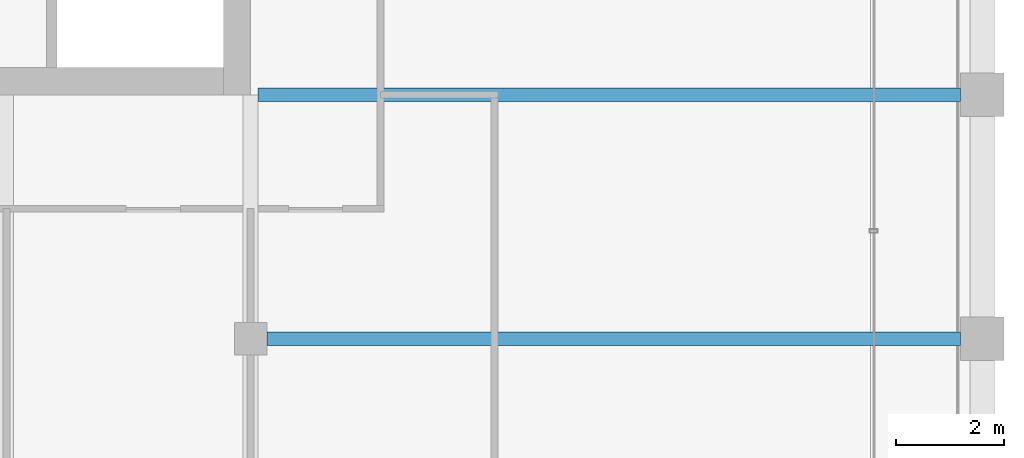
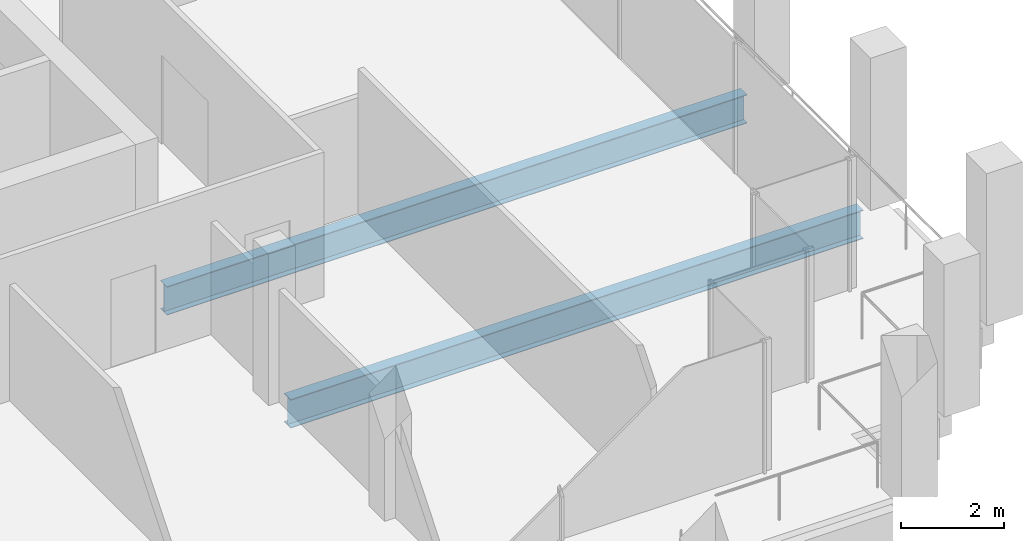
# One storey, part 14 of 30: 2 beams.
"""IFC4 building model written with IfcOpenShell, lengths in metres."""

import ifcopenshell
import ifcopenshell.guid

model = None  # the IFC model being written
_history = None  # IfcOwnerHistory: only IFC2X3 demands one
_inside = {}  # id of a spatial element -> (the spatial element, [elements in it])
_under = {}  # id of a project, library or spatial element -> (it, [spatial elements below it])
_declared = {}  # id of a project -> (the project, [libraries it declares])
_typed = {}  # id of a type object -> (the type object, [elements of that type])
_made_of = {}  # id of a material, layer set ... -> (it, [elements and type objects made of it])


def new_model(schema):
    """Start an empty IFC model of exactly this schema.

    Asked for "IFC4X3", IfcOpenShell would pick the latest addendum, in which some entities
    have other attributes; the version numbers below select the first issue.
    IFC2X3 requires an IfcOwnerHistory on every rooted entity: one is made here for all.
    """
    global model, _history
    if schema == "IFC4X3":
        model = ifcopenshell.file(schema_version=(4, 3, 0, 0))
    else:
        model = ifcopenshell.file(schema=schema)
    _inside.clear()
    _under.clear()
    _declared.clear()
    _typed.clear()
    _made_of.clear()
    _history = None
    if model.schema == "IFC2X3":
        org = make("IfcOrganization", Name="unknown")
        user = make(
            "IfcPersonAndOrganization",
            ThePerson=make("IfcPerson", FamilyName="unknown"),
            TheOrganization=org,
        )
        app = make(
            "IfcApplication",
            ApplicationDeveloper=org,
            Version="unknown",
            ApplicationFullName="unknown",
            ApplicationIdentifier="unknown",
        )
        _history = make(
            "IfcOwnerHistory",
            OwningUser=user,
            OwningApplication=app,
            ChangeAction="ADDED",
            CreationDate=0,
        )
    return model


def make(cls, **values):
    """One entity of the class cls with the attributes given. An attribute that is None is left unset."""
    return model.create_entity(
        cls, **{name: value for name, value in values.items() if value is not None}
    )


def rooted(cls, **values):
    """An entity with a GlobalId (a new one), such as an element, a storey or a relation."""
    return make(cls, GlobalId=ifcopenshell.guid.new(), OwnerHistory=_history, **values)


def si_unit(unit_type, name, prefix=None):
    """IfcSIUnit, for example si_unit("LENGTHUNIT", "METRE", prefix="MILLI")."""
    return make("IfcSIUnit", UnitType=unit_type, Prefix=prefix, Name=name)


def assignment(units):
    """IfcUnitAssignment: the units of a project."""
    return None if units is None else make("IfcUnitAssignment", Units=units)


def point(xyz):
    """IfcCartesianPoint."""
    return None if xyz is None else make("IfcCartesianPoint", Coordinates=xyz)


def direction(xyz):
    """IfcDirection."""
    return None if xyz is None else make("IfcDirection", DirectionRatios=xyz)


def frame(location, z_axis=None, x_axis=None):
    """IfcAxis2Placement3D, a coordinate frame: its origin and axes. An axis left out is left unset."""
    return make(
        "IfcAxis2Placement3D",
        Location=point(location),
        Axis=direction(z_axis),
        RefDirection=direction(x_axis),
    )


def frame_2d(location, x_axis=None):
    """IfcAxis2Placement2D, a coordinate frame in the plane: its origin and x axis."""
    return make(
        "IfcAxis2Placement2D", Location=point(location), RefDirection=direction(x_axis)
    )


def origin():
    """The frame at (0, 0, 0) with its axes left unset."""
    return frame((0.0, 0.0, 0.0))


def origin_2d():
    """The frame at (0, 0) in the plane with its x axis left unset."""
    return frame_2d((0.0, 0.0))


def place(relative_to, where):
    """IfcLocalPlacement: puts the frame where relative to a parent placement (None: the world)."""
    return make(
        "IfcLocalPlacement", PlacementRelTo=relative_to, RelativePlacement=where
    )


def context(
    kind, dimensions, precision=None, world=None, true_north=None, identifier=None
):
    """IfcGeometricRepresentationContext, for example the 3D "Model" context."""
    return make(
        "IfcGeometricRepresentationContext",
        ContextIdentifier=identifier,
        ContextType=kind,
        CoordinateSpaceDimension=dimensions,
        Precision=precision,
        WorldCoordinateSystem=world,
        TrueNorth=true_north,
    )


def subcontext(parent, identifier, kind, view, scale=None):
    """IfcGeometricRepresentationSubContext, for example "Body" below "Model"."""
    return make(
        "IfcGeometricRepresentationSubContext",
        ContextIdentifier=identifier,
        ContextType=kind,
        ParentContext=parent,
        TargetScale=scale,
        TargetView=view,
    )


def project(units=None, contexts=None):
    """IfcProject with its units and contexts."""
    return rooted(
        "IfcProject",
        Name="project",
        RepresentationContexts=contexts,
        UnitsInContext=assignment(units),
    )


def spatial(cls, under=None, at=None, **own):
    """A site, building, storey or space (cls), placed at a placement, below another one or the project."""
    s = rooted(cls, ObjectPlacement=at, **own)
    if under is not None:
        _under.setdefault(under.id(), (under, []))[1].append(s)
    return s


def profile(cls, at=None, kind="AREA", **sizes):
    """A parametric profile (cls). Its sizes go by their IFC names, for example OverallWidth=200.0."""
    return make(cls, ProfileType=kind, Position=at, **sizes)


def i_section(**sizes):
    """IfcIShapeProfileDef."""
    return profile("IfcIShapeProfileDef", **sizes)


def extrude(swept, where, along, depth):
    """IfcExtrudedAreaSolid: the profile swept, set in the frame where, extruded along a direction by depth."""
    return make(
        "IfcExtrudedAreaSolid",
        SweptArea=swept,
        Position=where,
        ExtrudedDirection=direction(along),
        Depth=depth,
    )


def shape(context_of_items, identifier, shape_type, items):
    """IfcShapeRepresentation: the items that make up one representation, for example the "Body"."""
    return make(
        "IfcShapeRepresentation",
        ContextOfItems=context_of_items,
        RepresentationIdentifier=identifier,
        RepresentationType=shape_type,
        Items=items,
    )


def material(Name=None, Category=None):
    """IfcMaterial."""
    return make("IfcMaterial", Name=Name, Category=Category)


def material_profile(
    of_material, cross_section, Name=None, Category=None, Priority=None
):
    """IfcMaterialProfile: a cross section and its material."""
    return make(
        "IfcMaterialProfile",
        Name=Name,
        Material=of_material,
        Profile=cross_section,
        Priority=Priority,
        Category=Category,
    )


def profile_set(profiles, Name=None, composite=None):
    """IfcMaterialProfileSet."""
    return make(
        "IfcMaterialProfileSet",
        Name=Name,
        MaterialProfiles=profiles,
        CompositeProfile=composite,
    )


def made_of(thing, what):
    """Note that an element or type object is made of a material, layer set ...; save() writes the relation."""
    if what is not None:
        _made_of.setdefault(what.id(), (what, []))[1].append(thing)
    return thing


def type_object(cls, material=None, **own):
    """A type object (cls), such as IfcWallType, which elements share."""
    return made_of(rooted(cls, **own), material)


def element(
    cls,
    number,
    at=None,
    inside=None,
    cuts=None,
    type_object=None,
    material=None,
    context=None,
    identifier="Body",
    shape_type=None,
    held_by="IfcProductDefinitionShape",
    body=None,
    shapes=None,
    **own,
):
    """One element of the class cls, such as IfcWall. Its Tag is "e" and its number.

    at: its placement. inside: the storey or other place that contains it. cuts: it is an
    opening in that element (IfcRelVoidsElement). A single representation is given by context,
    identifier, shape_type and body (its items); several are given by shapes. held_by: the class
    of the entity that holds the representations. save() writes the other relations.
    """
    e = rooted(cls, Tag="e%d" % number, ObjectPlacement=at, **own)
    if body is not None:
        shapes = [shape(context, identifier, shape_type, body)]
    if shapes is not None:
        e.Representation = make(held_by, Representations=shapes)
    if inside is not None:
        _inside.setdefault(inside.id(), (inside, []))[1].append(e)
    if cuts is not None:
        rooted(
            "IfcRelVoidsElement", RelatingBuildingElement=cuts, RelatedOpeningElement=e
        )
    if type_object is not None:
        _typed.setdefault(type_object.id(), (type_object, []))[1].append(e)
    return made_of(e, material)


def aggregate(whole, parts):
    """IfcRelAggregates: a whole, such as a stair, and the parts it consists of."""
    return rooted("IfcRelAggregates", RelatingObject=whole, RelatedObjects=parts)


def save(model, path):
    """Write the relations noted so far, then the file.

    IfcRelAggregates (storeys below a building ...), IfcRelContainedInSpatialStructure (elements
    in a storey), IfcRelDefinesByType, IfcRelAssociatesMaterial and IfcRelDeclares: one each for
    every whole, place, type object, material and project.
    """
    for whole, parts in _under.values():
        aggregate(whole, parts)
    for where, things in _inside.values():
        rooted(
            "IfcRelContainedInSpatialStructure",
            RelatedElements=things,
            RelatingStructure=where,
        )
    for kind, things in _typed.values():
        rooted("IfcRelDefinesByType", RelatedObjects=things, RelatingType=kind)
    for what, things in _made_of.values():
        rooted("IfcRelAssociatesMaterial", RelatedObjects=things, RelatingMaterial=what)
    for by, libraries in _declared.values():
        rooted("IfcRelDeclares", RelatingContext=by, RelatedDefinitions=libraries)
    model.write(path)


model = new_model("IFC4")

# Units and contexts
model_context = context("Model", 3, precision=1e-05, world=origin(), true_north=direction((0.0, 1.0)))
body_context = subcontext(model_context, "Body", "Model", "MODEL_VIEW")
ifc_project = project(units=[si_unit("LENGTHUNIT", "METRE"), si_unit("AREAUNIT", "SQUARE_METRE"), si_unit("VOLUMEUNIT", "CUBIC_METRE"), si_unit("PLANEANGLEUNIT", "RADIAN"), si_unit("MASSUNIT", "GRAM", prefix="KILO")], contexts=[model_context])

# Site, building, storey
site_placement = place(None, origin())
site = spatial("IfcSite", under=ifc_project, at=site_placement, CompositionType="ELEMENT")
building_placement = place(site_placement, origin())
building = spatial("IfcBuilding", under=site, at=building_placement, Name="Altepetl Exchange Towers", CompositionType="ELEMENT")
storey_placement = place(building_placement, frame((0.0, 0.0, 224.39990234375)))
storey = spatial("IfcBuildingStorey", under=building, at=storey_placement, Name="L57", CompositionType="ELEMENT", Elevation=224.39990234375)

# Beams
ifc_material = material(Name="Steel S355", Category="steel")
ifc_material_profile = material_profile(ifc_material, i_section(OverallWidth=0.2529296875, OverallDepth=0.677978515625, WebThickness=0.01171875, FlangeThickness=0.016357421875, at=origin_2d()), Name="W27X84")
ifc_profile_set = profile_set([ifc_material_profile], Name="Steel S355")
beam_type = type_object("IfcBeamType", Name="Floor beam W27X84", PredefinedType="BEAM", material=ifc_profile_set)
beam_1_placement = place(storey_placement, frame((58.800048828125, 36.0, -0.489013671875), z_axis=(1.0, 0.0, 0.0), x_axis=(0.0, 1.0, 0.0)))
element("IfcBeam", 1, at=beam_1_placement, inside=storey, type_object=beam_type, Name="bm:A:L57:007", PredefinedType="BEAM", context=body_context, shape_type="SweptSolid", body=[
    extrude(i_section(OverallWidth=0.2529296875, OverallDepth=0.677978515625, WebThickness=0.01171875, FlangeThickness=0.016357421875, at=origin_2d()), origin(), (0.0, 0.0, 1.0), 12.800048828125),
])
beam_2_placement = place(storey_placement, frame((58.634033203125, 40.5, -0.489013671875), z_axis=(1.0, 0.0, 0.0), x_axis=(0.0, 1.0, 0.0)))
element("IfcBeam", 2, at=beam_2_placement, inside=storey, type_object=beam_type, Name="bm:A:L57:008", PredefinedType="BEAM", context=body_context, shape_type="SweptSolid", body=[
    extrude(i_section(OverallWidth=0.2529296875, OverallDepth=0.677978515625, WebThickness=0.01171875, FlangeThickness=0.016357421875, at=origin_2d()), origin(), (0.0, 0.0, 1.0), 12.966064453125),
])

save(model, "model.ifc")
